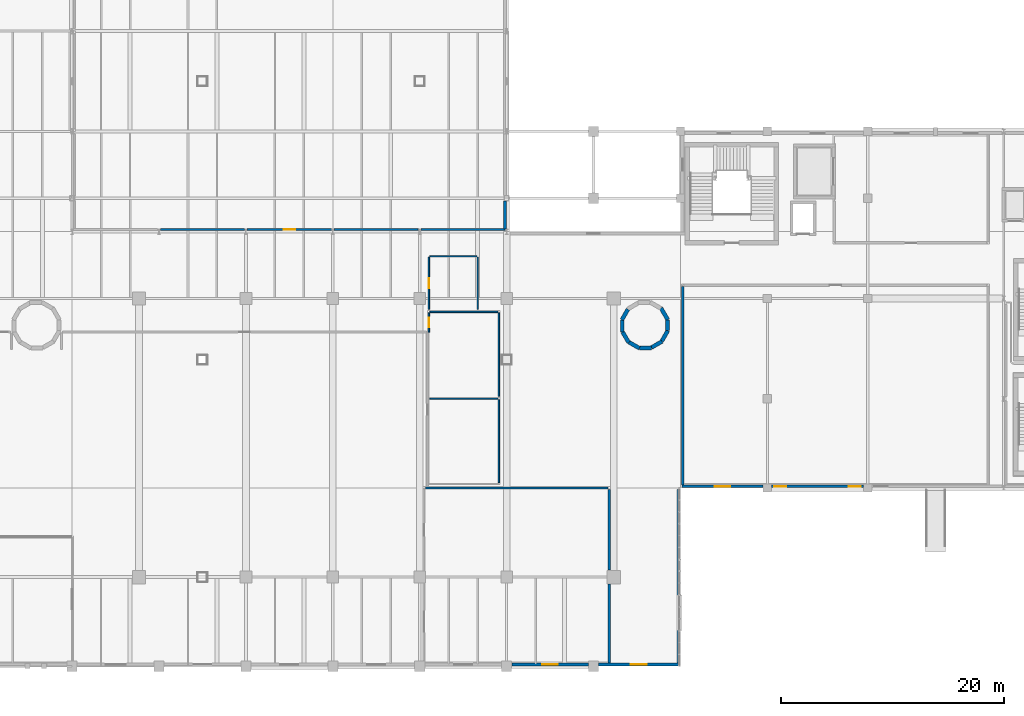
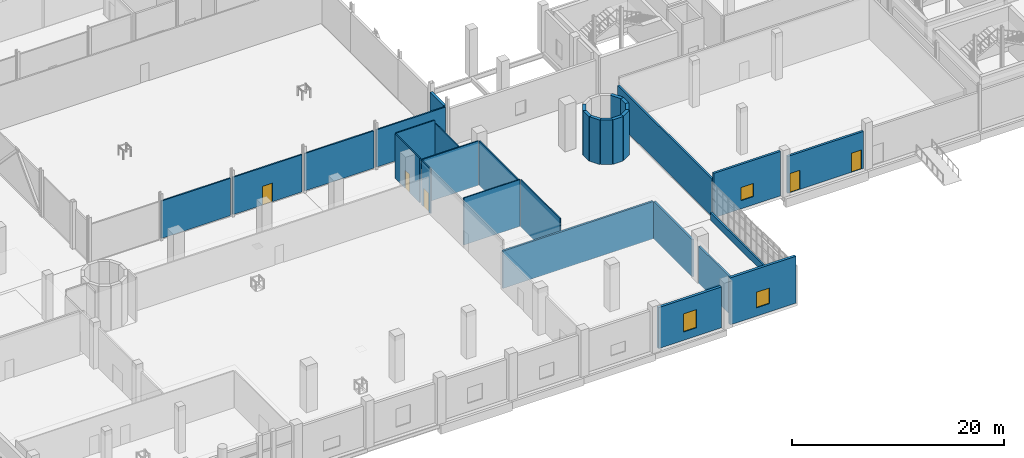
# One storey, part 41 of 57: 31 walls, 5 doors, 3 windows, 8 openings.
"""IFC4 building model written with IfcOpenShell, lengths in metres."""

from ifc_helpers import new_model, si_unit, derived_unit, direction, frame, frame_2d, origin, place, context, subcontext, project, spatial, rectangle, extrude, material, layer, layer_set, type_object, element, fill, save


model = new_model("IFC4")

# Units and contexts
model_context = context("Model", 3, precision=1e-05, world=origin(), true_north=direction((0.0, 1.0)))
body_context = subcontext(model_context, "Body", "Model", "MODEL_VIEW")
ifc_project = project(units=[si_unit("LENGTHUNIT", "METRE"), si_unit("AREAUNIT", "SQUARE_METRE"), si_unit("VOLUMEUNIT", "CUBIC_METRE"), si_unit("PLANEANGLEUNIT", "RADIAN"), si_unit("MASSUNIT", "GRAM", prefix="KILO"), derived_unit("THERMALTRANSMITTANCEUNIT", [(si_unit("POWERUNIT", "WATT"), 1), (si_unit("LENGTHUNIT", "METRE"), -2), (si_unit("THERMODYNAMICTEMPERATUREUNIT", "KELVIN"), -1)])], contexts=[model_context])

# Site, building, storey
site_placement = place(None, origin())
site = spatial("IfcSite", under=ifc_project, at=site_placement, CompositionType="ELEMENT")
building_placement = place(site_placement, origin())
building = spatial("IfcBuilding", under=site, at=building_placement, Name="Nallur Shell Playhouse", CompositionType="ELEMENT")
storey_placement = place(building_placement, origin())
storey = spatial("IfcBuildingStorey", under=building, at=storey_placement, Name="L01", CompositionType="ELEMENT", Elevation=0.0)

# Walls
ifc_material_1 = material(Name="Concrete M45", Category="concrete")
ifc_layer_1 = layer(ifc_material_1, 0.39990234375)
ifc_layer_set_1 = layer_set([ifc_layer_1], Name="Concrete M45")
wall_type_1 = type_object("IfcWallType", Name="WL-CORE-400", PredefinedType="SHEAR", material=ifc_layer_set_1)
wall_1_placement = place(storey_placement, frame((117.46142578125, 39.08642578125, 0.0), z_axis=(0.0, 0.0, 1.0), x_axis=(-0.500080723117, 0.865978793255, 0.0)))
element("IfcWall", 1, at=wall_1_placement, inside=storey, type_object=wall_type_1, Name="Metabolist service drum DR-2 facet 1 (L01)", PredefinedType="SHEAR", context=body_context, shape_type="SweptSolid", body=[
    extrude(rectangle(XDim=1.218994140625, YDim=0.35009765625, at=frame_2d((0.609375, 0.0))), origin(), (0.0, 0.0, 1.0), 5.1201171875),
])
for number, where, z_axis, x_axis, name in (
    (2, (113.885009765625, 40.032958984375, 0.0), (0.0, 0.0, 1.0), (-0.499935162227, -0.866062834654, 0.0), "Metabolist service drum DR-2 facet 5 (L01)"),
    (3, (113.37158203125, 39.08349609375, 0.0), (0.0, 0.0, 1.0), (0.0, -1.0, 0.0), "Metabolist service drum DR-2 facet 6 (L01)"),
    (4, (113.401611328125, 38.00439453125, 0.0), (0.0, 0.0, 1.0), (0.499935162227, -0.866062834654, 0.0), "Metabolist service drum DR-2 facet 7 (L01)"),
    (5, (113.967041015625, 37.085205078125, 0.0), (0.0, 0.0, 1.0), (0.865966109163, -0.500102687236, 0.0), "Metabolist service drum DR-2 facet 8 (L01)"),
    (6, (114.91650390625, 36.571533203125, 0.0), (0.0, 0.0, 1.0), (1.0, 0.0, 0.0), "Metabolist service drum DR-2 facet 9 (L01)"),
    (7, (115.99560546875, 36.6015625, 0.0), (0.0, 0.0, 1.0), (0.865966109163, 0.500102687236, 0.0), "Metabolist service drum DR-2 facet 10 (L01)"),
    (8, (116.914794921875, 37.1669921875, 0.0), (0.0, 0.0, 1.0), (0.500102687236, 0.865966109163, 0.0), "Metabolist service drum DR-2 facet 11 (L01)"),
):
    element("IfcWall", number, at=place(storey_placement, frame(where, z_axis=z_axis, x_axis=x_axis)), inside=storey, type_object=wall_type_1, Name=name, PredefinedType="SHEAR", context=body_context, shape_type="SweptSolid", body=[
        extrude(rectangle(XDim=1.093017578125, YDim=0.35009765625, at=frame_2d((0.54638671875, 0.0))), origin(), (0.0, 0.0, 1.0), 5.1201171875),
    ])
wall_2_placement = place(storey_placement, frame((117.428466796875, 38.116455078125, 0.0), z_axis=(0.0, 0.0, 1.0), x_axis=(0.0, 1.0, 0.0)))
element("IfcWall", 9, at=wall_2_placement, inside=storey, type_object=wall_type_1, Name="Metabolist service drum DR-2 facet 12 (L01)", PredefinedType="SHEAR", context=body_context, shape_type="SweptSolid", body=[
    extrude(rectangle(XDim=0.967041015625, YDim=0.35009765625, at=frame_2d((0.4833984375, 0.0))), origin(), (0.0, 0.0, 1.0), 5.1201171875),
])

# Wall, openings, doors
ifc_material_2 = material(Name="Precast concrete M40", Category="concrete")
ifc_layer_2 = layer(ifc_material_2, 0.239990234375)
ifc_layer_set_2 = layer_set([ifc_layer_2], Name="Precast concrete M40")
wall_type_2 = type_object("IfcWallType", Name="WL-EXT-CLAD240", PredefinedType="ELEMENTEDWALL", material=ifc_layer_set_2)
wall_3_placement = place(storey_placement, frame((135.01708984375, 24.139892578125, 0.0), z_axis=(0.0, 0.0, 1.0), x_axis=(-1.0, 0.0, 0.0)))
wall_3 = element("IfcWall", 10, at=wall_3_placement, inside=storey, type_object=wall_type_2, Name="L01 exterior wall EW-L01-043", PredefinedType="ELEMENTEDWALL", context=body_context, shape_type="SweptSolid", body=[
    extrude(rectangle(XDim=8.234130859375, YDim=0.239990234375, at=frame_2d((4.1171875, 0.0))), origin(), (0.0, 0.0, 1.0), 4.2548828125),
])
opening_1_placement = place(wall_3_placement, frame((0.219970703125, 0.0, 0.0)))
opening_1 = element("IfcOpeningElement", 11, at=opening_1_placement, cuts=wall_3, Name="Opening ED-05", PredefinedType="OPENING", context=body_context, shape_type="SweptSolid", body=[
    extrude(rectangle(XDim=1.10009765625, YDim=2.199951171875, at=frame_2d((0.550048828125, 1.10009765625))), frame((0.0, 0.1298828125, 0.0), z_axis=(0.0, -1.0, 0.0), x_axis=(1.0, 0.0, 0.0)), (0.0, 0.0, 1.0), 0.260009765625),
])
opening_2_placement = place(wall_3_placement, frame((6.9140625, 0.0, 0.0)))
opening_2 = element("IfcOpeningElement", 12, at=opening_2_placement, cuts=wall_3, Name="Opening ED-05", PredefinedType="OPENING", context=body_context, shape_type="SweptSolid", body=[
    extrude(rectangle(XDim=1.10009765625, YDim=2.199951171875, at=frame_2d((0.550048828125, 1.10009765625))), frame((0.0, 0.1298828125, 0.0), z_axis=(0.0, -1.0, 0.0), x_axis=(1.0, 0.0, 0.0)), (0.0, 0.0, 1.0), 0.260009765625),
])
ifc_material_3 = material(Name="Galvanised Steel Exterior Service Door", Category="steel")
door_type_1 = type_object("IfcDoorType", Name="DR-EXT-SGL1100", OperationType="SINGLE_SWING_RIGHT", PredefinedType="DOOR", material=ifc_material_3)
door_1_placement = place(opening_1_placement, origin())
door_1 = element("IfcDoor", 13, at=door_1_placement, inside=storey, type_object=door_type_1, Name="Ground floor exterior exit door ED-L01-21", OperationType="SINGLE_SWING_RIGHT", OverallHeight=2.199951171875, OverallWidth=1.10009765625, PredefinedType="DOOR", context=body_context, shape_type="SweptSolid", body=[
    extrude(rectangle(XDim=1.10009765625, YDim=2.199951171875, at=frame_2d((0.550048828125, 1.10009765625))), frame((0.0, 0.02490234375, 0.0), z_axis=(0.0, -1.0, 0.0), x_axis=(1.0, 0.0, 0.0)), (0.0, 0.0, 1.0), 0.050048828125),
])
fill(opening_1, door_1)
door_2_placement = place(opening_2_placement, origin())
door_2 = element("IfcDoor", 14, at=door_2_placement, inside=storey, type_object=door_type_1, Name="Ground floor exterior exit door ED-L01-22", OperationType="SINGLE_SWING_RIGHT", OverallHeight=2.199951171875, OverallWidth=1.10009765625, PredefinedType="DOOR", context=body_context, shape_type="SweptSolid", body=[
    extrude(rectangle(XDim=1.10009765625, YDim=2.199951171875, at=frame_2d((0.550048828125, 1.10009765625))), frame((0.0, 0.02490234375, 0.0), z_axis=(0.0, -1.0, 0.0), x_axis=(1.0, 0.0, 0.0)), (0.0, 0.0, 1.0), 0.050048828125),
])
fill(opening_2, door_2)

# Wall, opening, window
wall_4_placement = place(storey_placement, frame((126.01708984375, 24.139892578125, 0.0), z_axis=(0.0, 0.0, 1.0), x_axis=(-1.0, 0.0, 0.0)))
wall_4 = element("IfcWall", 15, at=wall_4_placement, inside=storey, type_object=wall_type_2, Name="L01 exterior wall EW-L01-044", PredefinedType="ELEMENTEDWALL", context=body_context, shape_type="SweptSolid", body=[
    extrude(rectangle(XDim=7.287109375, YDim=0.239990234375, at=frame_2d((3.6435546875, 0.0))), origin(), (0.0, 0.0, 1.0), 5.1201171875),
])
opening_3_placement = place(wall_4_placement, frame((2.943115234375, 0.0, 0.949951171875)))
opening_3 = element("IfcOpeningElement", 16, at=opening_3_placement, cuts=wall_4, Name="Opening WN-14", PredefinedType="OPENING", context=body_context, shape_type="SweptSolid", body=[
    extrude(rectangle(XDim=1.39990234375, YDim=1.5, at=frame_2d((0.699951171875, 0.75))), frame((0.0, 0.1298828125, 0.0), z_axis=(0.0, -1.0, 0.0), x_axis=(1.0, 0.0, 0.0)), (0.0, 0.0, 1.0), 0.260009765625),
])
ifc_material_4 = material(Name="Thermally Broken Aluminium Acoustic Double-Glazed Window", Category="aluminium")
window_type_1 = type_object("IfcWindowType", Name="WN-TYPE-14", PartitioningType="SINGLE_PANEL", PredefinedType="WINDOW", material=ifc_material_4)
window_1_placement = place(opening_3_placement, origin())
window_1 = element("IfcWindow", 17, at=window_1_placement, inside=storey, type_object=window_type_1, Name="L01 facade module window 014", OverallHeight=1.5, OverallWidth=1.39990234375, PartitioningType="SINGLE_PANEL", PredefinedType="WINDOW", context=body_context, shape_type="SweptSolid", body=[
    extrude(rectangle(XDim=1.39990234375, YDim=1.5, at=frame_2d((0.699951171875, 0.75))), frame((0.0, 0.030029296875, 0.0), z_axis=(0.0, -1.0, 0.0), x_axis=(1.0, 0.0, 0.0)), (0.0, 0.0, 1.0), 0.06005859375),
])
fill(opening_3, window_1)

# Wall
ifc_material_5 = material(Name="Concrete M30", Category="concrete")
ifc_layer_3 = layer(ifc_material_5, 0.280029296875)
ifc_layer_set_3 = layer_set([ifc_layer_3], Name="Concrete M30")
wall_type_3 = type_object("IfcWallType", Name="WL-EXT-INS280", PredefinedType="STANDARD", material=ifc_layer_set_3)
wall_5_placement = place(storey_placement, frame((102.840087890625, 49.76708984375, 0.0), z_axis=(0.0, 0.0, 1.0), x_axis=(0.0, -1.0, 0.0)))
element("IfcWall", 18, at=wall_5_placement, inside=storey, type_object=wall_type_3, Name="L01 exterior wall EW-L01-025", PredefinedType="STANDARD", context=body_context, shape_type="SweptSolid", body=[
    extrude(rectangle(XDim=2.5341796875, YDim=0.280029296875, at=frame_2d((1.26708984375, 0.0))), origin(), (0.0, 0.0, 1.0), 4.455078125),
])

# Wall, opening, window
wall_6_placement = place(storey_placement, frame((118.449951171875, 8.159912109375, 0.0), z_axis=(0.0, 0.0, 1.0), x_axis=(-1.0, 0.0, 0.0)))
wall_6 = element("IfcWall", 19, at=wall_6_placement, inside=storey, type_object=wall_type_3, Name="L01 exterior wall EW-L01-045", PredefinedType="STANDARD", context=body_context, shape_type="SweptSolid", body=[
    extrude(rectangle(XDim=7.19189453125, YDim=0.280029296875, at=frame_2d((3.595947265625, 0.0))), origin(), (0.0, 0.0, 1.0), 5.39990234375),
])
opening_4_placement = place(wall_6_placement, frame((2.89599609375, 0.0, 0.949951171875)))
opening_4 = element("IfcOpeningElement", 20, at=opening_4_placement, cuts=wall_6, Name="Opening WN-15", PredefinedType="OPENING", context=body_context, shape_type="SweptSolid", body=[
    extrude(rectangle(XDim=1.39990234375, YDim=1.800048828125, at=frame_2d((0.699951171875, 0.89990234375))), frame((0.0, 0.14990234375, 0.0), z_axis=(0.0, -1.0, 0.0), x_axis=(1.0, 0.0, 0.0)), (0.0, 0.0, 1.0), 0.300048828125),
])
window_type_2 = type_object("IfcWindowType", Name="WN-TYPE-15", PartitioningType="SINGLE_PANEL", PredefinedType="WINDOW", material=ifc_material_4)
window_2_placement = place(opening_4_placement, origin())
window_2 = element("IfcWindow", 21, at=window_2_placement, inside=storey, type_object=window_type_2, Name="L01 facade module window 015", OverallHeight=1.800048828125, OverallWidth=1.39990234375, PartitioningType="SINGLE_PANEL", PredefinedType="WINDOW", context=body_context, shape_type="SweptSolid", body=[
    extrude(rectangle(XDim=1.39990234375, YDim=1.800048828125, at=frame_2d((0.699951171875, 0.89990234375))), frame((0.0, 0.030029296875, 0.0), z_axis=(0.0, -1.0, 0.0), x_axis=(1.0, 0.0, 0.0)), (0.0, 0.0, 1.0), 0.06005859375),
])
fill(opening_4, window_2)

wall_7_placement = place(storey_placement, frame((110.342041015625, 8.159912109375, 0.0), z_axis=(0.0, 0.0, 1.0), x_axis=(-1.0, 0.0, 0.0)))
wall_7 = element("IfcWall", 22, at=wall_7_placement, inside=storey, type_object=wall_type_3, Name="L01 exterior wall EW-L01-046", PredefinedType="STANDARD", context=body_context, shape_type="SweptSolid", body=[
    extrude(rectangle(XDim=6.884033203125, YDim=0.280029296875, at=frame_2d((3.44189453125, 0.0))), origin(), (0.0, 0.0, 1.0), 4.705078125),
])
opening_5_placement = place(wall_7_placement, frame((2.741943359375, 0.0, 0.949951171875)))
opening_5 = element("IfcOpeningElement", 23, at=opening_5_placement, cuts=wall_7, Name="Opening WN-16", PredefinedType="OPENING", context=body_context, shape_type="SweptSolid", body=[
    extrude(rectangle(XDim=1.39990234375, YDim=2.10009765625, at=frame_2d((0.699951171875, 1.050048828125))), frame((0.0, 0.14990234375, 0.0), z_axis=(0.0, -1.0, 0.0), x_axis=(1.0, 0.0, 0.0)), (0.0, 0.0, 1.0), 0.300048828125),
])
window_type_3 = type_object("IfcWindowType", Name="WN-TYPE-16", PartitioningType="SINGLE_PANEL", PredefinedType="WINDOW", material=ifc_material_4)
window_3_placement = place(opening_5_placement, origin())
window_3 = element("IfcWindow", 24, at=window_3_placement, inside=storey, type_object=window_type_3, Name="L01 facade module window 016", OverallHeight=2.10009765625, OverallWidth=1.39990234375, PartitioningType="SINGLE_PANEL", PredefinedType="WINDOW", context=body_context, shape_type="SweptSolid", body=[
    extrude(rectangle(XDim=1.39990234375, YDim=2.10009765625, at=frame_2d((0.699951171875, 1.050048828125))), frame((0.0, 0.030029296875, 0.0), z_axis=(0.0, -1.0, 0.0), x_axis=(1.0, 0.0, 0.0)), (0.0, 0.0, 1.0), 0.06005859375),
])
fill(opening_5, window_3)

# Walls
ifc_material_6 = material(Name="Concrete M35", Category="concrete")
ifc_layer_4 = layer(ifc_material_6, 0.179931640625)
ifc_layer_set_4 = layer_set([ifc_layer_4], Name="Concrete M35")
wall_type_4 = type_object("IfcWallType", Name="WL-PARAPET-180", PredefinedType="PARAPET", material=ifc_layer_set_4)
wall_8_placement = place(storey_placement, frame((118.360107421875, 23.8798828125, 0.0), z_axis=(0.0, 0.0, 1.0), x_axis=(0.0, -1.0, 0.0)))
element("IfcWall", 25, at=wall_8_placement, inside=storey, type_object=wall_type_4, Name="L01 curtain-wall internal spandrel upstand 001", PredefinedType="PARAPET", context=body_context, shape_type="SweptSolid", body=[
    extrude(rectangle(XDim=15.759765625, YDim=0.179931640625, at=frame_2d((7.8798828125, 0.0))), origin(), (0.0, 0.0, 1.0), 0.8798828125),
])
ifc_layer_5 = layer(ifc_material_5, 0.199951171875)
ifc_layer_set_5 = layer_set([ifc_layer_5], Name="Concrete M30")
wall_type_5 = type_object("IfcWallType", Name="WL-PART-AC200", PredefinedType="PARTITIONING", material=ifc_layer_set_5)
wall_9_placement = place(storey_placement, frame((95.719970703125, 24.0, 0.0), z_axis=(0.0, 0.0, 1.0), x_axis=(1.0, 0.0, 0.0)))
element("IfcWall", 26, at=wall_9_placement, inside=storey, type_object=wall_type_5, Name="Patron Cloakroom & Audio Guide Counter partition IW-L01-0056", PredefinedType="PARTITIONING", context=body_context, shape_type="SweptSolid", body=[
    extrude(rectangle(XDim=16.360107421875, YDim=0.199951171875, at=frame_2d((8.18017578125, 0.0))), origin(), (0.0, 0.0, 1.0), 4.300048828125),
])
wall_10_placement = place(storey_placement, frame((112.199951171875, 23.8798828125, 0.0), z_axis=(0.0, 0.0, 1.0), x_axis=(0.0, -1.0, 0.0)))
element("IfcWall", 27, at=wall_10_placement, inside=storey, type_object=wall_type_5, Name="Patron Cloakroom & Audio Guide Counter partition IW-L01-0057", PredefinedType="PARTITIONING", context=body_context, shape_type="SweptSolid", body=[
    extrude(rectangle(XDim=7.264892578125, YDim=0.199951171875, at=frame_2d((3.63232421875, 0.0))), origin(), (0.0, 0.0, 1.0), 4.300048828125),
])
wall_11_placement = place(storey_placement, frame((112.199951171875, 15.385009765625, 0.0), z_axis=(0.0, 0.0, 1.0), x_axis=(0.0, -1.0, 0.0)))
element("IfcWall", 28, at=wall_11_placement, inside=storey, type_object=wall_type_5, Name="Patron Cloakroom & Audio Guide Counter partition IW-L01-0058", PredefinedType="PARTITIONING", context=body_context, shape_type="SweptSolid", body=[
    extrude(rectangle(XDim=7.0810546875, YDim=0.199951171875, at=frame_2d((3.54052734375, 0.0))), origin(), (0.0, 0.0, 1.0), 4.300048828125),
])
wall_12_placement = place(storey_placement, frame((118.800048828125, 24.263916015625, 0.0), z_axis=(0.0, 0.0, 1.0), x_axis=(0.0, 1.0, 0.0)))
element("IfcWall", 29, at=wall_12_placement, inside=storey, type_object=wall_type_5, Name="Monsoon Courtyard Arts Cafe partition IW-L01-0061", PredefinedType="PARTITIONING", context=body_context, shape_type="SweptSolid", body=[
    extrude(rectangle(XDim=17.816162109375, YDim=0.199951171875, at=frame_2d((8.908203125, 0.0))), origin(), (0.0, 0.0, 1.0), 4.300048828125),
])
ifc_material_7 = material(Name="Concrete M25 Fire Blockwork", Category="masonry")
ifc_layer_6 = layer(ifc_material_7, 0.14990234375)
ifc_layer_set_6 = layer_set([ifc_layer_6], Name="Concrete M25 Fire Blockwork")
wall_type_6 = type_object("IfcWallType", Name="WL-PART-FR150", PredefinedType="PARTITIONING", material=ifc_layer_set_6)
wall_13_placement = place(storey_placement, frame((102.87109375, 47.199951171875, 0.0), z_axis=(0.0, 0.0, 1.0), x_axis=(-1.0, 0.0, 0.0)))
element("IfcWall", 30, at=wall_13_placement, inside=storey, type_object=wall_type_6, Name="Main Theatre Proscenium Stage & Side Stages partition IW-L01-0083", PredefinedType="PARTITIONING", context=body_context, shape_type="SweptSolid", body=[
    extrude(rectangle(XDim=7.531005859375, YDim=0.14990234375, at=frame_2d((3.765625, 0.0))), origin(), (0.0, 0.0, 1.0), 4.300048828125),
])
wall_14_placement = place(storey_placement, frame((95.06005859375, 47.199951171875, 0.0), z_axis=(0.0, 0.0, 1.0), x_axis=(-1.0, 0.0, 0.0)))
element("IfcWall", 31, at=wall_14_placement, inside=storey, type_object=wall_type_6, Name="Main Theatre Proscenium Stage & Side Stages partition IW-L01-0084", PredefinedType="PARTITIONING", context=body_context, shape_type="SweptSolid", body=[
    extrude(rectangle(XDim=7.52001953125, YDim=0.14990234375, at=frame_2d((3.760009765625, 0.0))), origin(), (0.0, 0.0, 1.0), 4.300048828125),
])

# Wall, opening, door
wall_15_placement = place(storey_placement, frame((87.260009765625, 47.199951171875, 0.0), z_axis=(0.0, 0.0, 1.0), x_axis=(-1.0, 0.0, 0.0)))
wall_15 = element("IfcWall", 32, at=wall_15_placement, inside=storey, type_object=wall_type_6, Name="Main Theatre Proscenium Stage & Side Stages partition IW-L01-0085", PredefinedType="PARTITIONING", context=body_context, shape_type="SweptSolid", body=[
    extrude(rectangle(XDim=7.52001953125, YDim=0.14990234375, at=frame_2d((3.760009765625, 0.0))), origin(), (0.0, 0.0, 1.0), 4.300048828125),
])
opening_6_placement = place(wall_15_placement, frame((3.235107421875, 0.0, 0.0)))
opening_6 = element("IfcOpeningElement", 33, at=opening_6_placement, cuts=wall_15, Name="Opening ID-01", PredefinedType="OPENING", context=body_context, shape_type="SweptSolid", body=[
    extrude(rectangle(XDim=1.050048828125, YDim=2.14990234375, at=frame_2d((0.52490234375, 1.074951171875))), frame((0.0, 0.0849609375, 0.0), z_axis=(0.0, -1.0, 0.0), x_axis=(1.0, 0.0, 0.0)), (0.0, 0.0, 1.0), 0.169921875),
])
ifc_material_8 = material(Name="Solid-Core Engineered Timber Fire Door", Category="wood")
door_type_2 = type_object("IfcDoorType", Name="DR-INT-SGL1050L", OperationType="SINGLE_SWING_LEFT", PredefinedType="DOOR", material=ifc_material_8)
door_3_placement = place(opening_6_placement, origin())
door_3 = element("IfcDoor", 34, at=door_3_placement, inside=storey, type_object=door_type_2, Name="Main Theatre Proscenium Stage & Side Stages door 2", OperationType="SINGLE_SWING_LEFT", OverallHeight=2.14990234375, OverallWidth=1.050048828125, PredefinedType="DOOR", context=body_context, shape_type="SweptSolid", body=[
    extrude(rectangle(XDim=1.050048828125, YDim=2.14990234375, at=frame_2d((0.52490234375, 1.074951171875))), frame((0.0, 0.02490234375, 0.0), z_axis=(0.0, -1.0, 0.0), x_axis=(1.0, 0.0, 0.0)), (0.0, 0.0, 1.0), 0.050048828125),
])
fill(opening_6, door_3)

# Walls
wall_16_placement = place(storey_placement, frame((79.4599609375, 47.199951171875, 0.0), z_axis=(0.0, 0.0, 1.0), x_axis=(-1.0, 0.0, 0.0)))
element("IfcWall", 35, at=wall_16_placement, inside=storey, type_object=wall_type_6, Name="Main Theatre Proscenium Stage & Side Stages partition IW-L01-0086", PredefinedType="PARTITIONING", context=body_context, shape_type="SweptSolid", body=[
    extrude(rectangle(XDim=7.52001953125, YDim=0.14990234375, at=frame_2d((3.760009765625, 0.0))), origin(), (0.0, 0.0, 1.0), 4.300048828125),
])
ifc_layer_7 = layer(ifc_material_7, 0.1201171875)
ifc_layer_set_7 = layer_set([ifc_layer_7], Name="Concrete M25 Fire Blockwork")
wall_type_7 = type_object("IfcWallType", Name="WL-PART-WET120", PredefinedType="PARTITIONING", material=ifc_layer_set_7)
wall_17_placement = place(storey_placement, frame((102.300048828125, 31.919921875, 0.0), z_axis=(0.0, 0.0, 1.0), x_axis=(0.0, -1.0, 0.0)))
element("IfcWall", 36, at=wall_17_placement, inside=storey, type_object=wall_type_7, Name="Main Foyer Male Restroom partition IW-L01-0113", PredefinedType="PARTITIONING", context=body_context, shape_type="SweptSolid", body=[
    extrude(rectangle(XDim=7.43994140625, YDim=0.1201171875, at=frame_2d((3.719970703125, 0.0))), origin(), (0.0, 0.0, 1.0), 5.39990234375),
])
wall_18_placement = place(storey_placement, frame((96.10009765625, 32.0, 0.0), z_axis=(0.0, 0.0, 1.0), x_axis=(1.0, 0.0, 0.0)))
element("IfcWall", 37, at=wall_18_placement, inside=storey, type_object=wall_type_7, Name="Main Foyer Male Restroom partition IW-L01-0114", PredefinedType="PARTITIONING", context=body_context, shape_type="SweptSolid", body=[
    extrude(rectangle(XDim=6.119873046875, YDim=0.1201171875, at=frame_2d((3.06005859375, 0.0))), origin(), (0.0, 0.0, 1.0), 5.39990234375),
])
wall_19_placement = place(storey_placement, frame((102.300048828125, 39.719970703125, 0.0), z_axis=(0.0, 0.0, 1.0), x_axis=(0.0, -1.0, 0.0)))
element("IfcWall", 38, at=wall_19_placement, inside=storey, type_object=wall_type_7, Name="Main Foyer Female Restroom partition IW-L01-0115", PredefinedType="PARTITIONING", context=body_context, shape_type="SweptSolid", body=[
    extrude(rectangle(XDim=7.5, YDim=0.1201171875, at=frame_2d((3.75, 0.0))), origin(), (0.0, 0.0, 1.0), 5.110107421875),
])

# Wall, opening, door
wall_20_placement = place(storey_placement, frame((96.02001953125, 37.985107421875, 0.0), z_axis=(0.0, 0.0, 1.0), x_axis=(0.0, 1.0, 0.0)))
wall_20 = element("IfcWall", 39, at=wall_20_placement, inside=storey, type_object=wall_type_7, Name="Main Foyer Female Restroom partition IW-L01-0116", PredefinedType="PARTITIONING", context=body_context, shape_type="SweptSolid", body=[
    extrude(rectangle(XDim=1.73486328125, YDim=0.1201171875, at=frame_2d((0.867431640625, 0.0))), origin(), (0.0, 0.0, 1.0), 5.110107421875),
])
opening_7_placement = place(wall_20_placement, frame((0.427001953125, 0.0, 0.0)))
opening_7 = element("IfcOpeningElement", 40, at=opening_7_placement, cuts=wall_20, Name="Opening WD-01", PredefinedType="OPENING", context=body_context, shape_type="SweptSolid", body=[
    extrude(rectangle(XDim=0.8798828125, YDim=2.10009765625, at=frame_2d((0.43994140625, 1.050048828125))), frame((0.0, 0.070068359375, 0.0), z_axis=(0.0, -1.0, 0.0), x_axis=(1.0, 0.0, 0.0)), (0.0, 0.0, 1.0), 0.14013671875),
])
ifc_material_9 = material(Name="Moisture-Resistant Laminate Restroom Door")
door_type_3 = type_object("IfcDoorType", Name="DR-INT-WC880L", OperationType="SINGLE_SWING_LEFT", PredefinedType="DOOR", material=ifc_material_9)
door_4_placement = place(opening_7_placement, origin())
door_4 = element("IfcDoor", 41, at=door_4_placement, inside=storey, type_object=door_type_3, Name="Main Foyer Female Restroom door 1", OperationType="SINGLE_SWING_LEFT", OverallHeight=2.10009765625, OverallWidth=0.8798828125, PredefinedType="DOOR", context=body_context, shape_type="SweptSolid", body=[
    extrude(rectangle(XDim=0.8798828125, YDim=2.10009765625, at=frame_2d((0.43994140625, 1.050048828125))), frame((0.0, 0.02490234375, 0.0), z_axis=(0.0, -1.0, 0.0), x_axis=(1.0, 0.0, 0.0)), (0.0, 0.0, 1.0), 0.050048828125),
])
fill(opening_7, door_4)

# Walls
wall_21_placement = place(storey_placement, frame((96.10009765625, 39.800048828125, 0.0), z_axis=(0.0, 0.0, 1.0), x_axis=(1.0, 0.0, 0.0)))
element("IfcWall", 42, at=wall_21_placement, inside=storey, type_object=wall_type_7, Name="Main Foyer Female Restroom partition IW-L01-0117", PredefinedType="PARTITIONING", context=body_context, shape_type="SweptSolid", body=[
    extrude(rectangle(XDim=6.119873046875, YDim=0.1201171875, at=frame_2d((3.06005859375, 0.0))), origin(), (0.0, 0.0, 1.0), 5.110107421875),
])
wall_22_placement = place(storey_placement, frame((100.39990234375, 44.719970703125, 0.0), z_axis=(0.0, 0.0, 1.0), x_axis=(0.0, -1.0, 0.0)))
element("IfcWall", 43, at=wall_22_placement, inside=storey, type_object=wall_type_7, Name="Main Foyer Accessible Restroom partition IW-L01-0118", PredefinedType="PARTITIONING", context=body_context, shape_type="SweptSolid", body=[
    extrude(rectangle(XDim=4.699951171875, YDim=0.1201171875, at=frame_2d((2.35009765625, 0.0))), origin(), (0.0, 0.0, 1.0), 4.75),
])

# Wall, opening, door
wall_23_placement = place(storey_placement, frame((96.02001953125, 40.02001953125, 0.0), z_axis=(0.0, 0.0, 1.0), x_axis=(0.0, 1.0, 0.0)))
wall_23 = element("IfcWall", 44, at=wall_23_placement, inside=storey, type_object=wall_type_7, Name="Main Foyer Accessible Restroom partition IW-L01-0119", PredefinedType="PARTITIONING", context=body_context, shape_type="SweptSolid", body=[
    extrude(rectangle(XDim=4.699951171875, YDim=0.1201171875, at=frame_2d((2.35009765625, 0.0))), origin(), (0.0, 0.0, 1.0), 5.110107421875),
])
opening_8_placement = place(wall_23_placement, frame((1.909912109375, 0.0, 0.0)))
opening_8 = element("IfcOpeningElement", 45, at=opening_8_placement, cuts=wall_23, Name="Opening WD-02", PredefinedType="OPENING", context=body_context, shape_type="SweptSolid", body=[
    extrude(rectangle(XDim=0.8798828125, YDim=2.10009765625, at=frame_2d((0.43994140625, 1.050048828125))), frame((0.0, 0.070068359375, 0.0), z_axis=(0.0, -1.0, 0.0), x_axis=(1.0, 0.0, 0.0)), (0.0, 0.0, 1.0), 0.14013671875),
])
door_type_4 = type_object("IfcDoorType", Name="DR-INT-WC880R", OperationType="SINGLE_SWING_RIGHT", PredefinedType="DOOR", material=ifc_material_9)
door_5_placement = place(opening_8_placement, origin())
door_5 = element("IfcDoor", 46, at=door_5_placement, inside=storey, type_object=door_type_4, Name="Main Foyer Accessible Restroom door 1", OperationType="SINGLE_SWING_RIGHT", OverallHeight=2.10009765625, OverallWidth=0.8798828125, PredefinedType="DOOR", context=body_context, shape_type="SweptSolid", body=[
    extrude(rectangle(XDim=0.8798828125, YDim=2.10009765625, at=frame_2d((0.43994140625, 1.050048828125))), frame((0.0, 0.02490234375, 0.0), z_axis=(0.0, -1.0, 0.0), x_axis=(1.0, 0.0, 0.0)), (0.0, 0.0, 1.0), 0.050048828125),
])
fill(opening_8, door_5)

# Wall
wall_24_placement = place(storey_placement, frame((96.10009765625, 44.800048828125, 0.0), z_axis=(0.0, 0.0, 1.0), x_axis=(1.0, 0.0, 0.0)))
element("IfcWall", 47, at=wall_24_placement, inside=storey, type_object=wall_type_7, Name="Main Foyer Accessible Restroom partition IW-L01-0120", PredefinedType="PARTITIONING", context=body_context, shape_type="SweptSolid", body=[
    extrude(rectangle(XDim=4.219970703125, YDim=0.1201171875, at=frame_2d((2.10986328125, 0.0))), origin(), (0.0, 0.0, 1.0), 5.110107421875),
])

save(model, "model.ifc")
